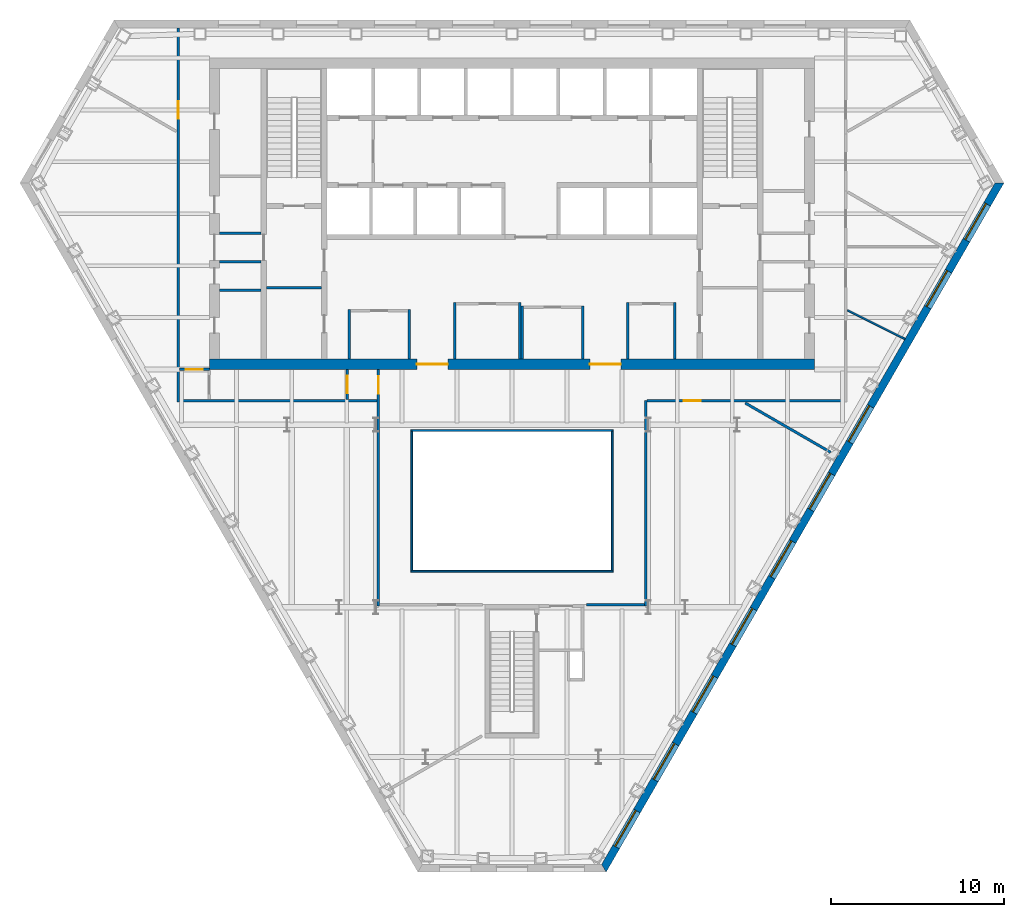
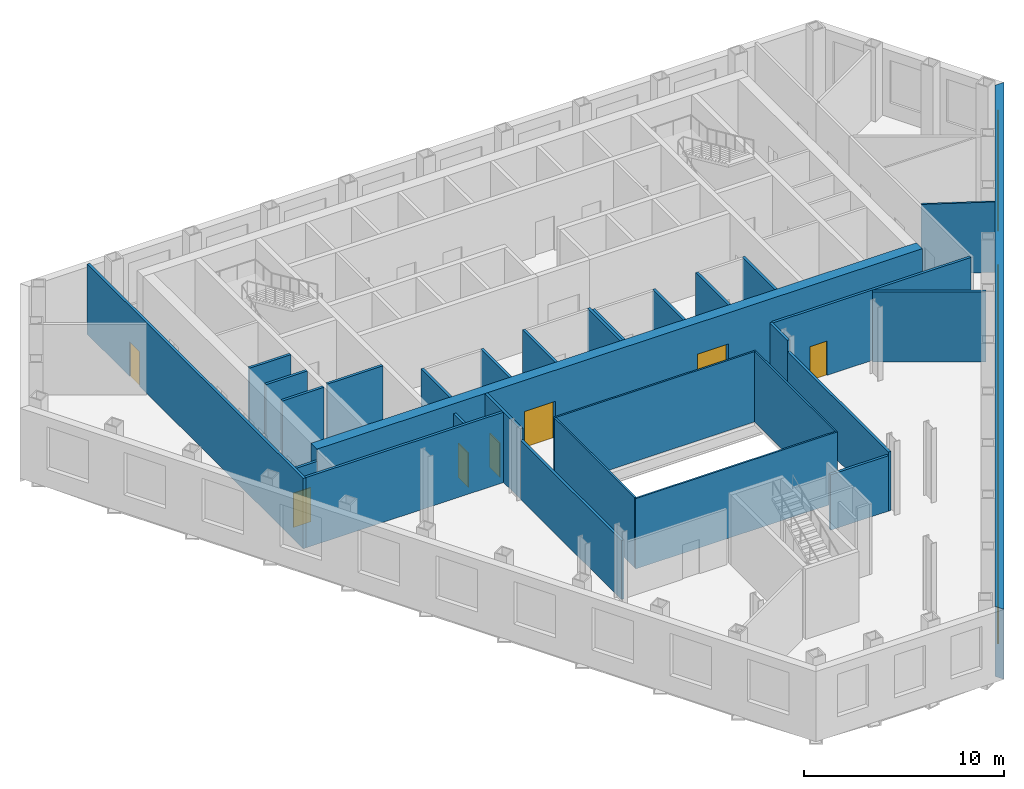
# One storey, part 5 of 11: 30 walls, 9 windows, 7 doors, 16 openings.
"""IFC4 building model written with IfcOpenShell, lengths in metres."""

from ifc_helpers import new_model, si_unit, direction, frame, frame_2d, origin, place, context, subcontext, project, spatial, polyline, rectangle, outline, extrude, material, layer, layer_set, type_object, element, fill, save


model = new_model("IFC4")

# Units and contexts
model_context = context("Model", 3, precision=1e-05, world=origin(), true_north=direction((0.0, 1.0)))
body_context = subcontext(model_context, "Body", "Model", "MODEL_VIEW")
ifc_project = project(units=[si_unit("LENGTHUNIT", "METRE"), si_unit("AREAUNIT", "SQUARE_METRE"), si_unit("VOLUMEUNIT", "CUBIC_METRE"), si_unit("PLANEANGLEUNIT", "RADIAN"), si_unit("MASSUNIT", "GRAM", prefix="KILO")], contexts=[model_context])

# Site, building, storey
site_placement = place(None, origin())
site = spatial("IfcSite", under=ifc_project, at=site_placement, CompositionType="ELEMENT")
building_placement = place(site_placement, origin())
building = spatial("IfcBuilding", under=site, at=building_placement, Name="Njiva Tower", CompositionType="ELEMENT")
storey_placement = place(building_placement, frame((0.0, 0.0, 69.3)))
storey = spatial("IfcBuildingStorey", under=building, at=storey_placement, Name="L14", CompositionType="ELEMENT", Elevation=69.3)

# Walls
ifc_material_1 = material(Name="Blockwork", Category="masonry")
ifc_layer_1 = layer(ifc_material_1, 0.15)
ifc_layer_set_1 = layer_set([ifc_layer_1], Name="Blockwork")
wall_type_1 = type_object("IfcWallType", Name="WT1 Compartment partition 150", PredefinedType="PARTITIONING", material=ifc_layer_set_1)
wall_1_placement = place(storey_placement, frame((-14.2, 4.725, 0.0), z_axis=(0.0, 0.0, 1.0), x_axis=(1.0, 0.0, 0.0)))
element("IfcWall", 1, at=wall_1_placement, inside=storey, type_object=wall_type_1, Name="Room wall A", PredefinedType="PARTITIONING", context=body_context, shape_type="SweptSolid", body=[
    extrude(rectangle(XDim=3.2, YDim=0.15, at=frame_2d((1.6, 0.0))), origin(), (0.0, 0.0, 1.0), 4.3),
])
for number, where, z_axis, x_axis, name in (
    (2, (-9.4, 0.6, 0.0), (0.0, 0.0, 1.0), (0.0, 1.0, 0.0), "Post room wall west"),
    (3, (-5.95, 0.6, 0.0), (0.0, 0.0, 1.0), (0.0, 1.0, 0.0), "Post room wall east"),
):
    element("IfcWall", number, at=place(storey_placement, frame(where, z_axis=z_axis, x_axis=x_axis)), inside=storey, type_object=wall_type_1, Name=name, PredefinedType="PARTITIONING", context=body_context, shape_type="SweptSolid", body=[
        extrude(rectangle(XDim=2.875, YDim=0.15, at=frame_2d((1.4375, 0.0))), origin(), (0.0, 0.0, 1.0), 4.3),
    ])
for number, where, z_axis, x_axis, name in (
    (4, (-3.3, 0.6, 0.0), (0.0, 0.0, 1.0), (0.0, 1.0, 0.0), "Information office wall west"),
    (5, (0.45, 0.6, 0.0), (0.0, 0.0, 1.0), (0.0, 1.0, 0.0), "Information office wall east"),
):
    element("IfcWall", number, at=place(storey_placement, frame(where, z_axis=z_axis, x_axis=x_axis)), inside=storey, type_object=wall_type_1, Name=name, PredefinedType="PARTITIONING", context=body_context, shape_type="SweptSolid", body=[
        extrude(rectangle(XDim=3.275, YDim=0.15, at=frame_2d((1.6375, 0.0))), origin(), (0.0, 0.0, 1.0), 4.3),
    ])
for number, where, z_axis, x_axis, name in (
    (6, (0.6, 0.6, 0.0), (0.0, 0.0, 1.0), (0.0, 1.0, 0.0), "Tenant reception wall west"),
    (7, (4.1, 0.6, 0.0), (0.0, 0.0, 1.0), (0.0, 1.0, 0.0), "Tenant reception wall east"),
):
    element("IfcWall", number, at=place(storey_placement, frame(where, z_axis=z_axis, x_axis=x_axis)), inside=storey, type_object=wall_type_1, Name=name, PredefinedType="PARTITIONING", context=body_context, shape_type="SweptSolid", body=[
        extrude(rectangle(XDim=3.075, YDim=0.15, at=frame_2d((1.5375, 0.0))), origin(), (0.0, 0.0, 1.0), 4.3),
    ])
for number, where, z_axis, x_axis, name in (
    (8, (6.7, 0.6, 0.0), (0.0, 0.0, 1.0), (0.0, 1.0, 0.0), "Waiting room wall west"),
    (9, (9.4, 0.6, 0.0), (0.0, 0.0, 1.0), (0.0, 1.0, 0.0), "Waiting room wall east"),
):
    element("IfcWall", number, at=place(storey_placement, frame(where, z_axis=z_axis, x_axis=x_axis)), inside=storey, type_object=wall_type_1, Name=name, PredefinedType="PARTITIONING", context=body_context, shape_type="SweptSolid", body=[
        extrude(rectangle(XDim=3.275, YDim=0.15, at=frame_2d((1.6375, 0.0))), origin(), (0.0, 0.0, 1.0), 4.3),
    ])

# Wall, openings, doors
ifc_material_2 = material(Name="Concrete C60/75", Category="concrete")
ifc_layer_2 = layer(ifc_material_2, 0.6)
ifc_layer_set_2 = layer_set([ifc_layer_2], Name="Concrete C60/75")
wall_type_2 = type_object("IfcWallType", Name="WT15 Core wall 600", PredefinedType="SHEAR", material=ifc_layer_set_2)
wall_2_placement = place(storey_placement, frame((-17.5, 0.3, 0.0), z_axis=(0.0, 0.0, 1.0), x_axis=(1.0, 0.0, 0.0)))
wall_2 = element("IfcWall", 10, at=wall_2_placement, inside=storey, type_object=wall_type_2, Name="Core wall south", PredefinedType="SHEAR", context=body_context, shape_type="SweptSolid", body=[
    extrude(rectangle(XDim=35.0, YDim=0.6, at=frame_2d((17.5, 0.0))), origin(), (0.0, 0.0, 1.0), 4.3),
])
opening_1_placement = place(wall_2_placement, frame((12.0, 0.0, 0.0)))
opening_1 = element("IfcOpeningElement", 11, at=opening_1_placement, cuts=wall_2, Name="Opening S05-D937", PredefinedType="OPENING", context=body_context, shape_type="SweptSolid", body=[
    extrude(rectangle(XDim=1.8, YDim=2.4, at=frame_2d((0.9, 1.2))), frame((0.0, 0.31, 0.0), z_axis=(0.0, -1.0, 0.0), x_axis=(1.0, 0.0, 0.0)), (0.0, 0.0, 1.0), 0.62),
])
opening_2_placement = place(wall_2_placement, frame((22.0, 0.0, 0.0)))
opening_2 = element("IfcOpeningElement", 12, at=opening_2_placement, cuts=wall_2, Name="Opening S05-D938", PredefinedType="OPENING", context=body_context, shape_type="SweptSolid", body=[
    extrude(rectangle(XDim=1.8, YDim=2.4, at=frame_2d((0.9, 1.2))), frame((0.0, 0.31, 0.0), z_axis=(0.0, -1.0, 0.0), x_axis=(1.0, 0.0, 0.0)), (0.0, 0.0, 1.0), 0.62),
])
ifc_material_3 = material(Name="Steel and glass door", Category="steel")
door_type_1 = type_object("IfcDoorType", Name="D3 Core entrance door 1800x2400", OperationType="DOUBLE_DOOR_SINGLE_SWING", PredefinedType="DOOR", material=ifc_material_3)
door_1_placement = place(opening_1_placement, origin())
door_1 = element("IfcDoor", 13, at=door_1_placement, inside=storey, type_object=door_type_1, Name="Core entrance door", OperationType="DOUBLE_DOOR_SINGLE_SWING", OverallHeight=2.4, OverallWidth=1.8, PredefinedType="DOOR", context=body_context, shape_type="SweptSolid", body=[
    extrude(rectangle(XDim=1.8, YDim=2.4, at=frame_2d((0.9, 1.2))), frame((0.0, 0.025, 0.0), z_axis=(0.0, -1.0, 0.0), x_axis=(1.0, 0.0, 0.0)), (0.0, 0.0, 1.0), 0.05),
])
fill(opening_1, door_1)
door_2_placement = place(opening_2_placement, origin())
door_2 = element("IfcDoor", 14, at=door_2_placement, inside=storey, type_object=door_type_1, Name="Core entrance door", OperationType="DOUBLE_DOOR_SINGLE_SWING", OverallHeight=2.4, OverallWidth=1.8, PredefinedType="DOOR", context=body_context, shape_type="SweptSolid", body=[
    extrude(rectangle(XDim=1.8, YDim=2.4, at=frame_2d((0.9, 1.2))), frame((0.0, 0.025, 0.0), z_axis=(0.0, -1.0, 0.0), x_axis=(1.0, 0.0, 0.0)), (0.0, 0.0, 1.0), 0.05),
])
fill(opening_2, door_2)

# Wall
ifc_material_4 = material(Name="Gypsum board on steel studs", Category="gypsum")
ifc_layer_3 = layer(ifc_material_4, 0.1)
ifc_layer_set_3 = layer_set([ifc_layer_3], Name="Gypsum board on steel studs")
wall_type_3 = type_object("IfcWallType", Name="WT20 Gypsum partition 100", PredefinedType="PARTITIONING", material=ifc_layer_set_3)
wall_3_placement = place(storey_placement, frame((19.397, 3.419, 0.0), z_axis=(0.0, 0.0, 1.0), x_axis=(0.894157297607, -0.447752975574, 0.0)))
element("IfcWall", 15, at=wall_3_placement, inside=storey, type_object=wall_type_3, Name="Partition S05-P018", PredefinedType="PARTITIONING", context=body_context, shape_type="SweptSolid", body=[
    extrude(rectangle(XDim=3.7074, YDim=0.1, at=frame_2d((1.8537, 0.0))), origin(), (0.0, 0.0, 1.0), 4.3),
])

# Wall, opening, door
ifc_layer_4 = layer(ifc_material_4, 0.15)
ifc_layer_set_4 = layer_set([ifc_layer_4], Name="Gypsum board on steel studs")
wall_type_4 = type_object("IfcWallType", Name="WT21 Compartment wall 150", PredefinedType="PARTITIONING", material=ifc_layer_set_4)
wall_4_placement = place(storey_placement, frame((-19.3, -1.875, 0.0), z_axis=(0.0, 0.0, 1.0), x_axis=(0.0, 1.0, 0.0)))
wall_4 = element("IfcWall", 16, at=wall_4_placement, inside=storey, type_object=wall_type_4, Name="Partition S05-P002", PredefinedType="PARTITIONING", context=body_context, shape_type="SweptSolid", body=[
    extrude(rectangle(XDim=21.624, YDim=0.15, at=frame_2d((10.812, 0.0))), origin(), (0.0, 0.0, 1.0), 4.3),
])
opening_3_placement = place(wall_4_placement, frame((16.381, 0.0, 0.0)))
opening_3 = element("IfcOpeningElement", 17, at=opening_3_placement, cuts=wall_4, Name="Opening S05-D001", PredefinedType="OPENING", context=body_context, shape_type="SweptSolid", body=[
    extrude(rectangle(XDim=1.0, YDim=2.1, at=frame_2d((0.5, 1.05))), frame((0.0, 0.085, 0.0), z_axis=(0.0, -1.0, 0.0), x_axis=(1.0, 0.0, 0.0)), (0.0, 0.0, 1.0), 0.17),
])
ifc_material_5 = material(Name="Steel fire door set", Category="steel")
door_type_2 = type_object("IfcDoorType", Name="D37 Fire door 1000x2100", OperationType="SINGLE_SWING_LEFT", PredefinedType="DOOR", material=ifc_material_5)
door_3_placement = place(opening_3_placement, origin())
door_3 = element("IfcDoor", 18, at=door_3_placement, inside=storey, type_object=door_type_2, Name="Door S05-D001", OperationType="SINGLE_SWING_LEFT", OverallHeight=2.1, OverallWidth=1.0, PredefinedType="DOOR", context=body_context, shape_type="SweptSolid", body=[
    extrude(rectangle(XDim=1.0, YDim=2.1, at=frame_2d((0.5, 1.05))), frame((0.0, 0.025, 0.0), z_axis=(0.0, -1.0, 0.0), x_axis=(1.0, 0.0, 0.0)), (0.0, 0.0, 1.0), 0.05),
])
fill(opening_3, door_3)

# Wall
wall_5_placement = place(storey_placement, frame((-19.225, -1.8, 0.0), z_axis=(0.0, 0.0, 1.0), x_axis=(1.0, 0.0, 0.0)))
element("IfcWall", 19, at=wall_5_placement, inside=storey, type_object=wall_type_4, Name="Partition S05-P003", PredefinedType="PARTITIONING", context=body_context, shape_type="SweptSolid", body=[
    extrude(rectangle(XDim=11.43, YDim=0.15, at=frame_2d((5.715, 0.0))), origin(), (0.0, 0.0, 1.0), 4.3),
])

# Wall, opening, door
wall_6_placement = place(storey_placement, frame((-19.225, 0.0, 0.0), z_axis=(0.0, 0.0, 1.0), x_axis=(1.0, 0.0, 0.0)))
wall_6 = element("IfcWall", 20, at=wall_6_placement, inside=storey, type_object=wall_type_4, Name="Partition S05-P004", PredefinedType="PARTITIONING", context=body_context, shape_type="SweptSolid", body=[
    extrude(rectangle(XDim=1.725, YDim=0.15, at=frame_2d((0.8625, 0.0))), origin(), (0.0, 0.0, 1.0), 3.61),
])
opening_4_placement = place(wall_6_placement, frame((0.363, 0.0, 0.0)))
opening_4 = element("IfcOpeningElement", 21, at=opening_4_placement, cuts=wall_6, Name="Opening S05-D002", PredefinedType="OPENING", context=body_context, shape_type="SweptSolid", body=[
    extrude(rectangle(XDim=1.0, YDim=2.1, at=frame_2d((0.5, 1.05))), frame((0.0, 0.085, 0.0), z_axis=(0.0, -1.0, 0.0), x_axis=(1.0, 0.0, 0.0)), (0.0, 0.0, 1.0), 0.17),
])
door_4_placement = place(opening_4_placement, origin())
door_4 = element("IfcDoor", 22, at=door_4_placement, inside=storey, type_object=door_type_2, Name="Door S05-D002", OperationType="SINGLE_SWING_LEFT", OverallHeight=2.1, OverallWidth=1.0, PredefinedType="DOOR", context=body_context, shape_type="SweptSolid", body=[
    extrude(rectangle(XDim=1.0, YDim=2.1, at=frame_2d((0.5, 1.05))), frame((0.0, 0.025, 0.0), z_axis=(0.0, -1.0, 0.0), x_axis=(1.0, 0.0, 0.0)), (0.0, 0.0, 1.0), 0.05),
])
fill(opening_4, door_4)

wall_7_placement = place(storey_placement, frame((-9.52, -1.725, 0.0), z_axis=(0.0, 0.0, 1.0), x_axis=(0.0, 1.0, 0.0)))
wall_7 = element("IfcWall", 23, at=wall_7_placement, inside=storey, type_object=wall_type_4, Name="Partition S05-P006", PredefinedType="PARTITIONING", context=body_context, shape_type="SweptSolid", body=[
    extrude(rectangle(XDim=1.725, YDim=0.15, at=frame_2d((0.8625, 0.0))), origin(), (0.0, 0.0, 1.0), 3.7),
])
opening_5_placement = place(wall_7_placement, frame((0.363, 0.0, 0.0)))
opening_5 = element("IfcOpeningElement", 24, at=opening_5_placement, cuts=wall_7, Name="Opening S05-D004", PredefinedType="OPENING", context=body_context, shape_type="SweptSolid", body=[
    extrude(rectangle(XDim=1.0, YDim=2.1, at=frame_2d((0.5, 1.05))), frame((0.0, 0.085, 0.0), z_axis=(0.0, -1.0, 0.0), x_axis=(1.0, 0.0, 0.0)), (0.0, 0.0, 1.0), 0.17),
])
door_5_placement = place(opening_5_placement, origin())
door_5 = element("IfcDoor", 25, at=door_5_placement, inside=storey, type_object=door_type_2, Name="Door S05-D004", OperationType="SINGLE_SWING_LEFT", OverallHeight=2.1, OverallWidth=1.0, PredefinedType="DOOR", context=body_context, shape_type="SweptSolid", body=[
    extrude(rectangle(XDim=1.0, YDim=2.1, at=frame_2d((0.5, 1.05))), frame((0.0, 0.025, 0.0), z_axis=(0.0, -1.0, 0.0), x_axis=(1.0, 0.0, 0.0)), (0.0, 0.0, 1.0), 0.05),
])
fill(opening_5, door_5)

# Wall
wall_8_placement = place(storey_placement, frame((-7.72, -13.675, 0.0), z_axis=(0.0, 0.0, 1.0), x_axis=(0.0, 1.0, 0.0)))
element("IfcWall", 26, at=wall_8_placement, inside=storey, type_object=wall_type_4, Name="Partition S05-P007", PredefinedType="PARTITIONING", context=body_context, shape_type="SweptSolid", body=[
    extrude(rectangle(XDim=10.118, YDim=0.15, at=frame_2d((5.059, 0.0))), origin(), (0.0, 0.0, 1.0), 3.61),
])

# Wall, opening, door
wall_9_placement = place(storey_placement, frame((-7.72, -3.557, 0.0), z_axis=(0.0, 0.0, 1.0), x_axis=(0.0, 1.0, 0.0)))
wall_9 = element("IfcWall", 27, at=wall_9_placement, inside=storey, type_object=wall_type_4, Name="Partition S05-P007A", PredefinedType="PARTITIONING", context=body_context, shape_type="SweptSolid", body=[
    extrude(rectangle(XDim=3.557, YDim=0.15, at=frame_2d((1.7785, 0.0))), origin(), (0.0, 0.0, 1.0), 4.3),
])
opening_6_placement = place(wall_9_placement, frame((2.157, 0.0, 0.0)))
opening_6 = element("IfcOpeningElement", 28, at=opening_6_placement, cuts=wall_9, Name="Opening S05-D005", PredefinedType="OPENING", context=body_context, shape_type="SweptSolid", body=[
    extrude(rectangle(XDim=1.0, YDim=2.1, at=frame_2d((0.5, 1.05))), frame((0.0, 0.085, 0.0), z_axis=(0.0, -1.0, 0.0), x_axis=(1.0, 0.0, 0.0)), (0.0, 0.0, 1.0), 0.17),
])
door_6_placement = place(opening_6_placement, origin())
door_6 = element("IfcDoor", 29, at=door_6_placement, inside=storey, type_object=door_type_2, Name="Door S05-D005", OperationType="SINGLE_SWING_LEFT", OverallHeight=2.1, OverallWidth=1.0, PredefinedType="DOOR", context=body_context, shape_type="SweptSolid", body=[
    extrude(rectangle(XDim=1.0, YDim=2.1, at=frame_2d((0.5, 1.05))), frame((0.0, 0.025, 0.0), z_axis=(0.0, -1.0, 0.0), x_axis=(1.0, 0.0, 0.0)), (0.0, 0.0, 1.0), 0.05),
])
fill(opening_6, door_6)

# Walls
wall_10_placement = place(storey_placement, frame((4.3, -13.6, 0.0), z_axis=(0.0, 0.0, 1.0), x_axis=(1.0, 0.0, 0.0)))
element("IfcWall", 30, at=wall_10_placement, inside=storey, type_object=wall_type_4, Name="Partition S05-P010", PredefinedType="PARTITIONING", context=body_context, shape_type="SweptSolid", body=[
    extrude(rectangle(XDim=3.345, YDim=0.15, at=frame_2d((1.6725, 0.0))), origin(), (0.0, 0.0, 1.0), 3.39),
])
wall_11_placement = place(storey_placement, frame((7.72, -13.675, 0.0), z_axis=(0.0, 0.0, 1.0), x_axis=(0.0, 1.0, 0.0)))
element("IfcWall", 31, at=wall_11_placement, inside=storey, type_object=wall_type_4, Name="Partition S05-P011", PredefinedType="PARTITIONING", context=body_context, shape_type="SweptSolid", body=[
    extrude(rectangle(XDim=10.118, YDim=0.15, at=frame_2d((5.059, 0.0))), origin(), (0.0, 0.0, 1.0), 3.61),
])
wall_12_placement = place(storey_placement, frame((7.72, -3.557, 0.0), z_axis=(0.0, 0.0, 1.0), x_axis=(0.0, 1.0, 0.0)))
element("IfcWall", 32, at=wall_12_placement, inside=storey, type_object=wall_type_4, Name="Partition S05-P011A", PredefinedType="PARTITIONING", context=body_context, shape_type="SweptSolid", body=[
    extrude(rectangle(XDim=1.768, YDim=0.15, at=frame_2d((0.884, 0.0))), origin(), (0.0, 0.0, 1.0), 4.3),
])

# Wall, opening, door
wall_13_placement = place(storey_placement, frame((7.795, -1.8, 0.0), z_axis=(0.0, 0.0, 1.0), x_axis=(1.0, 0.0, 0.0)))
wall_13 = element("IfcWall", 33, at=wall_13_placement, inside=storey, type_object=wall_type_4, Name="Partition S05-P012", PredefinedType="PARTITIONING", context=body_context, shape_type="SweptSolid", body=[
    extrude(rectangle(XDim=11.43, YDim=0.15, at=frame_2d((5.715, 0.0))), origin(), (0.0, 0.0, 1.0), 4.3),
])
opening_7_placement = place(wall_13_placement, frame((2.121, 0.0, 0.0)))
opening_7 = element("IfcOpeningElement", 34, at=opening_7_placement, cuts=wall_13, Name="Opening S05-D007", PredefinedType="OPENING", context=body_context, shape_type="SweptSolid", body=[
    extrude(rectangle(XDim=1.0, YDim=2.1, at=frame_2d((0.5, 1.05))), frame((0.0, 0.085, 0.0), z_axis=(0.0, -1.0, 0.0), x_axis=(1.0, 0.0, 0.0)), (0.0, 0.0, 1.0), 0.17),
])
door_7_placement = place(opening_7_placement, origin())
door_7 = element("IfcDoor", 35, at=door_7_placement, inside=storey, type_object=door_type_2, Name="Door S05-D007", OperationType="SINGLE_SWING_LEFT", OverallHeight=2.1, OverallWidth=1.0, PredefinedType="DOOR", context=body_context, shape_type="SweptSolid", body=[
    extrude(rectangle(XDim=1.0, YDim=2.1, at=frame_2d((0.5, 1.05))), frame((0.0, 0.025, 0.0), z_axis=(0.0, -1.0, 0.0), x_axis=(1.0, 0.0, 0.0)), (0.0, 0.0, 1.0), 0.05),
])
fill(opening_7, door_7)

# Walls
wall_14_placement = place(storey_placement, frame((13.484, -1.94, 0.0), z_axis=(0.0, 0.0, 1.0), x_axis=(0.866018876994, -0.500011304563, 0.0)))
element("IfcWall", 36, at=wall_14_placement, inside=storey, type_object=wall_type_4, Name="Partition S05-P013", PredefinedType="PARTITIONING", context=body_context, shape_type="SweptSolid", body=[
    extrude(rectangle(XDim=5.6939, YDim=0.15, at=frame_2d((2.847, 0.0))), origin(), (0.0, 0.0, 1.0), 4.3),
])
ifc_layer_5 = layer(ifc_material_1, 0.15)
ifc_layer_set_5 = layer_set([ifc_layer_5], Name="Blockwork")
wall_type_5 = type_object("IfcWallType", Name="WT3 Riser partition 150", PredefinedType="PARTITIONING", material=ifc_layer_set_5)
wall_15_placement = place(storey_placement, frame((-16.9, 4.575, 0.0), z_axis=(0.0, 0.0, 1.0), x_axis=(1.0, 0.0, 0.0)))
element("IfcWall", 37, at=wall_15_placement, inside=storey, type_object=wall_type_5, Name="Partition strip W00", PredefinedType="PARTITIONING", context=body_context, shape_type="SweptSolid", body=[
    extrude(rectangle(XDim=2.4, YDim=0.15, at=frame_2d((1.2, 0.0))), origin(), (0.0, 0.0, 1.0), 4.3),
])
ifc_layer_6 = layer(ifc_material_1, 0.15)
ifc_layer_set_6 = layer_set([ifc_layer_6], Name="Blockwork")
wall_type_6 = type_object("IfcWallType", Name="WT4 Stair partition 150", PredefinedType="PARTITIONING", material=ifc_layer_set_6)
for number, where, z_axis, x_axis, name in (
    (38, (-16.9, 6.225, 0.0), (0.0, 0.0, 1.0), (1.0, 0.0, 0.0), "Stair A exit passage wall south"),
    (39, (-16.9, 7.875, 0.0), (0.0, 0.0, 1.0), (1.0, 0.0, 0.0), "Stair A exit passage wall north"),
):
    element("IfcWall", number, at=place(storey_placement, frame(where, z_axis=z_axis, x_axis=x_axis)), inside=storey, type_object=wall_type_6, Name=name, PredefinedType="PARTITIONING", context=body_context, shape_type="SweptSolid", body=[
        extrude(rectangle(XDim=2.4, YDim=0.15, at=frame_2d((1.2, 0.0))), origin(), (0.0, 0.0, 1.0), 4.3),
    ])

# Wall, openings, windows
ifc_material_6 = material(Name="Brick masonry", Category="masonry")
ifc_layer_7 = layer(ifc_material_6, 0.45)
ifc_layer_set_7 = layer_set([ifc_layer_7], Name="Brick masonry")
wall_type_7 = type_object("IfcWallType", Name="WT90 Brick pier and spandrel wall 450", PredefinedType="SOLIDWALL", material=ifc_layer_set_7)
wall_16_placement = place(storey_placement, frame((5.3101, -28.8345, -0.18), z_axis=(0.0, 0.0, 1.0), x_axis=(0.500000711659, 0.866024992908, 0.0)))
wall_16 = element("IfcWall", 40, at=wall_16_placement, inside=storey, type_object=wall_type_7, Name="Facade wall SE", PredefinedType="SOLIDWALL", context=body_context, shape_type="SweptSolid", body=[
    extrude(outline(polyline([(-0.1299, -0.225), (45.87, -0.225), (45.6102, 0.225), (0.1299, 0.225), (-0.1299, -0.225)])), origin(), (0.0, 0.0, 1.0), 4.28),
])
opening_8_placement = place(wall_16_placement, frame((1.4242, 0.0, 1.08)))
opening_8 = element("IfcOpeningElement", 41, at=opening_8_placement, cuts=wall_16, Name="Opening S05-W25", PredefinedType="OPENING", context=body_context, shape_type="SweptSolid", body=[
    extrude(rectangle(XDim=2.4, YDim=2.6, at=frame_2d((1.2, 1.3))), frame((0.0, 0.235, 0.0), z_axis=(0.0, -1.0, 0.0), x_axis=(1.0, 0.0, 0.0)), (0.0, 0.0, 1.0), 0.47),
])
opening_9_placement = place(wall_16_placement, frame((5.8934, 0.0, 1.08)))
opening_9 = element("IfcOpeningElement", 42, at=opening_9_placement, cuts=wall_16, Name="Opening S05-W26", PredefinedType="OPENING", context=body_context, shape_type="SweptSolid", body=[
    extrude(rectangle(XDim=2.4, YDim=2.6, at=frame_2d((1.2, 1.3))), frame((0.0, 0.235, 0.0), z_axis=(0.0, -1.0, 0.0), x_axis=(1.0, 0.0, 0.0)), (0.0, 0.0, 1.0), 0.47),
])
opening_10_placement = place(wall_16_placement, frame((10.401, 0.0, 1.08)))
opening_10 = element("IfcOpeningElement", 43, at=opening_10_placement, cuts=wall_16, Name="Opening S05-W27", PredefinedType="OPENING", context=body_context, shape_type="SweptSolid", body=[
    extrude(rectangle(XDim=2.4, YDim=2.6, at=frame_2d((1.2, 1.3))), frame((0.0, 0.235, 0.0), z_axis=(0.0, -1.0, 0.0), x_axis=(1.0, 0.0, 0.0)), (0.0, 0.0, 1.0), 0.47),
])
opening_11_placement = place(wall_16_placement, frame((14.9087, 0.0, 1.08)))
opening_11 = element("IfcOpeningElement", 44, at=opening_11_placement, cuts=wall_16, Name="Opening S05-W28", PredefinedType="OPENING", context=body_context, shape_type="SweptSolid", body=[
    extrude(rectangle(XDim=2.4, YDim=2.6, at=frame_2d((1.2, 1.3))), frame((0.0, 0.235, 0.0), z_axis=(0.0, -1.0, 0.0), x_axis=(1.0, 0.0, 0.0)), (0.0, 0.0, 1.0), 0.47),
])
opening_12_placement = place(wall_16_placement, frame((19.4163, 0.0, 1.08)))
opening_12 = element("IfcOpeningElement", 45, at=opening_12_placement, cuts=wall_16, Name="Opening S05-W29", PredefinedType="OPENING", context=body_context, shape_type="SweptSolid", body=[
    extrude(rectangle(XDim=2.4, YDim=2.6, at=frame_2d((1.2, 1.3))), frame((0.0, 0.235, 0.0), z_axis=(0.0, -1.0, 0.0), x_axis=(1.0, 0.0, 0.0)), (0.0, 0.0, 1.0), 0.47),
])
opening_13_placement = place(wall_16_placement, frame((23.9239, 0.0, 1.08)))
opening_13 = element("IfcOpeningElement", 46, at=opening_13_placement, cuts=wall_16, Name="Opening S05-W30", PredefinedType="OPENING", context=body_context, shape_type="SweptSolid", body=[
    extrude(rectangle(XDim=2.4, YDim=2.6, at=frame_2d((1.2, 1.3))), frame((0.0, 0.235, 0.0), z_axis=(0.0, -1.0, 0.0), x_axis=(1.0, 0.0, 0.0)), (0.0, 0.0, 1.0), 0.47),
])
opening_14_placement = place(wall_16_placement, frame((28.4315, 0.0, 1.08)))
opening_14 = element("IfcOpeningElement", 47, at=opening_14_placement, cuts=wall_16, Name="Opening S05-W31", PredefinedType="OPENING", context=body_context, shape_type="SweptSolid", body=[
    extrude(rectangle(XDim=2.4, YDim=2.6, at=frame_2d((1.2, 1.3))), frame((0.0, 0.235, 0.0), z_axis=(0.0, -1.0, 0.0), x_axis=(1.0, 0.0, 0.0)), (0.0, 0.0, 1.0), 0.47),
])
opening_15_placement = place(wall_16_placement, frame((37.4468, 0.0, 1.08)))
opening_15 = element("IfcOpeningElement", 48, at=opening_15_placement, cuts=wall_16, Name="Opening S05-W32", PredefinedType="OPENING", context=body_context, shape_type="SweptSolid", body=[
    extrude(rectangle(XDim=2.4, YDim=2.6, at=frame_2d((1.2, 1.3))), frame((0.0, 0.235, 0.0), z_axis=(0.0, -1.0, 0.0), x_axis=(1.0, 0.0, 0.0)), (0.0, 0.0, 1.0), 0.47),
])
opening_16_placement = place(wall_16_placement, frame((41.916, 0.0, 1.08)))
opening_16 = element("IfcOpeningElement", 49, at=opening_16_placement, cuts=wall_16, Name="Opening S05-W33", PredefinedType="OPENING", context=body_context, shape_type="SweptSolid", body=[
    extrude(rectangle(XDim=2.4, YDim=2.6, at=frame_2d((1.2, 1.3))), frame((0.0, 0.235, 0.0), z_axis=(0.0, -1.0, 0.0), x_axis=(1.0, 0.0, 0.0)), (0.0, 0.0, 1.0), 0.47),
])
ifc_material_7 = material(Name="Clear glazing in aluminium frame", Category="aluminium")
window_type = type_object("IfcWindowType", Name="W92 Deep-set window 2400x2600", PartitioningType="SINGLE_PANEL", PredefinedType="WINDOW", material=ifc_material_7)
window_1_placement = place(opening_8_placement, origin())
window_1 = element("IfcWindow", 50, at=window_1_placement, inside=storey, type_object=window_type, Name="Window", OverallHeight=2.6, OverallWidth=2.4, PartitioningType="SINGLE_PANEL", PredefinedType="WINDOW", context=body_context, shape_type="SweptSolid", body=[
    extrude(rectangle(XDim=2.4, YDim=2.6, at=frame_2d((1.2, 1.3))), frame((0.0, 0.105, 0.0), z_axis=(0.0, -1.0, 0.0), x_axis=(1.0, 0.0, 0.0)), (0.0, 0.0, 1.0), 0.06),
])
fill(opening_8, window_1)
window_2_placement = place(opening_9_placement, origin())
window_2 = element("IfcWindow", 51, at=window_2_placement, inside=storey, type_object=window_type, Name="Window", OverallHeight=2.6, OverallWidth=2.4, PartitioningType="SINGLE_PANEL", PredefinedType="WINDOW", context=body_context, shape_type="SweptSolid", body=[
    extrude(rectangle(XDim=2.4, YDim=2.6, at=frame_2d((1.2, 1.3))), frame((0.0, 0.105, 0.0), z_axis=(0.0, -1.0, 0.0), x_axis=(1.0, 0.0, 0.0)), (0.0, 0.0, 1.0), 0.06),
])
fill(opening_9, window_2)
window_3_placement = place(opening_10_placement, origin())
window_3 = element("IfcWindow", 52, at=window_3_placement, inside=storey, type_object=window_type, Name="Window", OverallHeight=2.6, OverallWidth=2.4, PartitioningType="SINGLE_PANEL", PredefinedType="WINDOW", context=body_context, shape_type="SweptSolid", body=[
    extrude(rectangle(XDim=2.4, YDim=2.6, at=frame_2d((1.2, 1.3))), frame((0.0, 0.105, 0.0), z_axis=(0.0, -1.0, 0.0), x_axis=(1.0, 0.0, 0.0)), (0.0, 0.0, 1.0), 0.06),
])
fill(opening_10, window_3)
window_4_placement = place(opening_11_placement, origin())
window_4 = element("IfcWindow", 53, at=window_4_placement, inside=storey, type_object=window_type, Name="Window", OverallHeight=2.6, OverallWidth=2.4, PartitioningType="SINGLE_PANEL", PredefinedType="WINDOW", context=body_context, shape_type="SweptSolid", body=[
    extrude(rectangle(XDim=2.4, YDim=2.6, at=frame_2d((1.2, 1.3))), frame((0.0, 0.105, 0.0), z_axis=(0.0, -1.0, 0.0), x_axis=(1.0, 0.0, 0.0)), (0.0, 0.0, 1.0), 0.06),
])
fill(opening_11, window_4)
window_5_placement = place(opening_12_placement, origin())
window_5 = element("IfcWindow", 54, at=window_5_placement, inside=storey, type_object=window_type, Name="Window", OverallHeight=2.6, OverallWidth=2.4, PartitioningType="SINGLE_PANEL", PredefinedType="WINDOW", context=body_context, shape_type="SweptSolid", body=[
    extrude(rectangle(XDim=2.4, YDim=2.6, at=frame_2d((1.2, 1.3))), frame((0.0, 0.105, 0.0), z_axis=(0.0, -1.0, 0.0), x_axis=(1.0, 0.0, 0.0)), (0.0, 0.0, 1.0), 0.06),
])
fill(opening_12, window_5)
window_6_placement = place(opening_13_placement, origin())
window_6 = element("IfcWindow", 55, at=window_6_placement, inside=storey, type_object=window_type, Name="Window", OverallHeight=2.6, OverallWidth=2.4, PartitioningType="SINGLE_PANEL", PredefinedType="WINDOW", context=body_context, shape_type="SweptSolid", body=[
    extrude(rectangle(XDim=2.4, YDim=2.6, at=frame_2d((1.2, 1.3))), frame((0.0, 0.105, 0.0), z_axis=(0.0, -1.0, 0.0), x_axis=(1.0, 0.0, 0.0)), (0.0, 0.0, 1.0), 0.06),
])
fill(opening_13, window_6)
window_7_placement = place(opening_14_placement, origin())
window_7 = element("IfcWindow", 56, at=window_7_placement, inside=storey, type_object=window_type, Name="Window", OverallHeight=2.6, OverallWidth=2.4, PartitioningType="SINGLE_PANEL", PredefinedType="WINDOW", context=body_context, shape_type="SweptSolid", body=[
    extrude(rectangle(XDim=2.4, YDim=2.6, at=frame_2d((1.2, 1.3))), frame((0.0, 0.105, 0.0), z_axis=(0.0, -1.0, 0.0), x_axis=(1.0, 0.0, 0.0)), (0.0, 0.0, 1.0), 0.06),
])
fill(opening_14, window_7)
window_8_placement = place(opening_15_placement, origin())
window_8 = element("IfcWindow", 57, at=window_8_placement, inside=storey, type_object=window_type, Name="Window", OverallHeight=2.6, OverallWidth=2.4, PartitioningType="SINGLE_PANEL", PredefinedType="WINDOW", context=body_context, shape_type="SweptSolid", body=[
    extrude(rectangle(XDim=2.4, YDim=2.6, at=frame_2d((1.2, 1.3))), frame((0.0, 0.105, 0.0), z_axis=(0.0, -1.0, 0.0), x_axis=(1.0, 0.0, 0.0)), (0.0, 0.0, 1.0), 0.06),
])
fill(opening_15, window_8)
window_9_placement = place(opening_16_placement, origin())
window_9 = element("IfcWindow", 58, at=window_9_placement, inside=storey, type_object=window_type, Name="Window", OverallHeight=2.6, OverallWidth=2.4, PartitioningType="SINGLE_PANEL", PredefinedType="WINDOW", context=body_context, shape_type="SweptSolid", body=[
    extrude(rectangle(XDim=2.4, YDim=2.6, at=frame_2d((1.2, 1.3))), frame((0.0, 0.105, 0.0), z_axis=(0.0, -1.0, 0.0), x_axis=(1.0, 0.0, 0.0)), (0.0, 0.0, 1.0), 0.06),
])
fill(opening_16, window_9)

# Walls
ifc_material_8 = material(Name="Fire-resisting glazing EI 90", Category="glass")
ifc_layer_8 = layer(ifc_material_8, 0.1)
ifc_layer_set_8 = layer_set([ifc_layer_8], Name="Fire-resisting glazing EI 90")
wall_type_8 = type_object("IfcWallType", Name="WT95 Fire-resisting glazed screen EI 90", PredefinedType="PARTITIONING", material=ifc_layer_set_8)
wall_17_placement = place(storey_placement, frame((-5.84, -11.67, 0.0), z_axis=(0.0, 0.0, 1.0), x_axis=(1.0, 0.0, 0.0)))
element("IfcWall", 59, at=wall_17_placement, inside=storey, type_object=wall_type_8, Name="Atrium fire screen south", PredefinedType="PARTITIONING", context=body_context, shape_type="SweptSolid", body=[
    extrude(rectangle(XDim=11.68, YDim=0.1, at=frame_2d((5.84, 0.0))), origin(), (0.0, 0.0, 1.0), 4.3),
])
wall_18_placement = place(storey_placement, frame((5.79, -11.62, 0.0), z_axis=(0.0, 0.0, 1.0), x_axis=(0.0, 1.0, 0.0)))
element("IfcWall", 60, at=wall_18_placement, inside=storey, type_object=wall_type_8, Name="Atrium fire screen east", PredefinedType="PARTITIONING", context=body_context, shape_type="SweptSolid", body=[
    extrude(rectangle(XDim=8.04, YDim=0.1, at=frame_2d((4.02, 0.0))), origin(), (0.0, 0.0, 1.0), 4.3),
])
wall_19_placement = place(storey_placement, frame((5.84, -3.53, 0.0), z_axis=(0.0, 0.0, 1.0), x_axis=(-1.0, 0.0, 0.0)))
element("IfcWall", 61, at=wall_19_placement, inside=storey, type_object=wall_type_8, Name="Atrium fire screen north", PredefinedType="PARTITIONING", context=body_context, shape_type="SweptSolid", body=[
    extrude(rectangle(XDim=11.68, YDim=0.1, at=frame_2d((5.84, 0.0))), origin(), (0.0, 0.0, 1.0), 4.3),
])
wall_20_placement = place(storey_placement, frame((-5.79, -3.58, 0.0), z_axis=(0.0, 0.0, 1.0), x_axis=(0.0, -1.0, 0.0)))
element("IfcWall", 62, at=wall_20_placement, inside=storey, type_object=wall_type_8, Name="Atrium fire screen west", PredefinedType="PARTITIONING", context=body_context, shape_type="SweptSolid", body=[
    extrude(rectangle(XDim=8.04, YDim=0.1, at=frame_2d((4.02, 0.0))), origin(), (0.0, 0.0, 1.0), 4.3),
])

save(model, "model.ifc")
